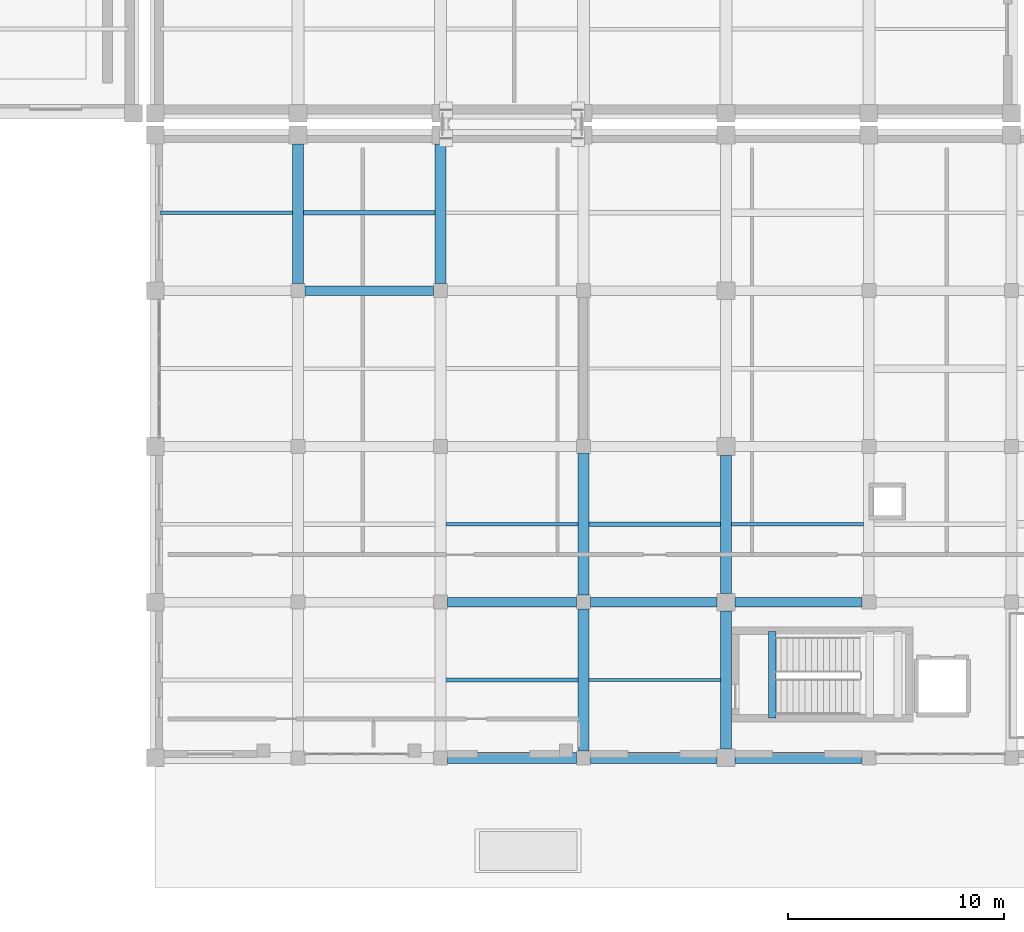
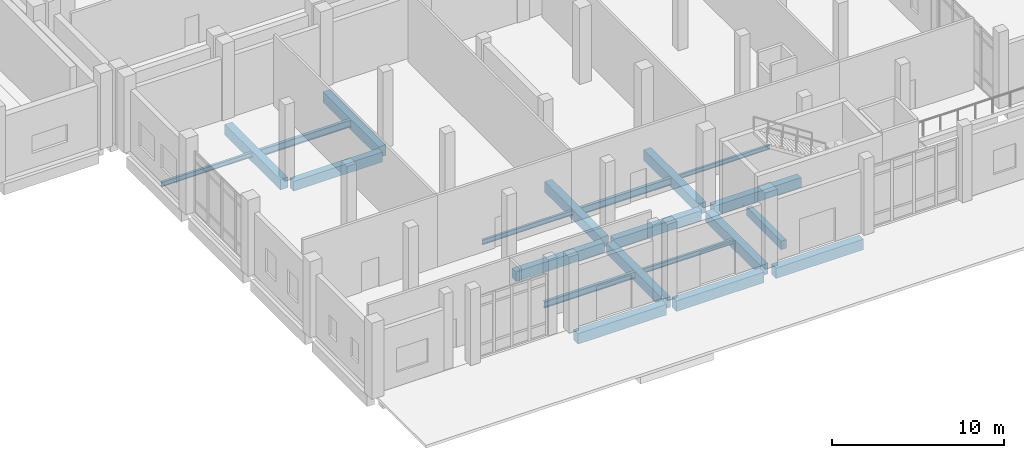
# One storey, part 13 of 79: 21 beams.
"""IFC4 building model written with IfcOpenShell, lengths in metres."""

from ifc_helpers import new_model, si_unit, direction, frame, origin, origin_2d, place, context, subcontext, project, spatial, rectangle, i_section, extrude, material, material_profile, profile_set, type_object, element, save


model = new_model("IFC4")

# Units and contexts
model_context = context("Model", 3, precision=1e-05, world=origin(), true_north=direction((0.0, 1.0)))
body_context = subcontext(model_context, "Body", "Model", "MODEL_VIEW")
ifc_project = project(units=[si_unit("LENGTHUNIT", "METRE"), si_unit("AREAUNIT", "SQUARE_METRE"), si_unit("VOLUMEUNIT", "CUBIC_METRE"), si_unit("PLANEANGLEUNIT", "RADIAN"), si_unit("MASSUNIT", "GRAM", prefix="KILO")], contexts=[model_context])

# Site, building, storey
site_placement = place(None, origin())
site = spatial("IfcSite", under=ifc_project, at=site_placement, CompositionType="ELEMENT")
building_placement = place(site_placement, origin())
building = spatial("IfcBuilding", under=site, at=building_placement, Name="Kelarvand Opera House", CompositionType="ELEMENT")
storey_placement = place(building_placement, origin())
storey = spatial("IfcBuildingStorey", under=building, at=storey_placement, Name="L00", CompositionType="ELEMENT", Elevation=0.0)

# Beams
ifc_material_1 = material(Name="Concrete C35/45", Category="concrete")
ifc_material_profile_1 = material_profile(ifc_material_1, rectangle(XDim=0.35009765625, YDim=0.60009765625, at=origin_2d()), Name="RC 350x600", Category="concrete")
ifc_profile_set_1 = profile_set([ifc_material_profile_1], Name="Concrete C35/45")
beam_type_1 = type_object("IfcBeamType", Name="Structural Beam RC 350x600 BM-RC350x600", PredefinedType="BEAM", material=ifc_profile_set_1)
beam_1_placement = place(storey_placement, frame((117.5400390625, 10.85009765625, -0.52001953125), z_axis=(0.0, 1.0, 0.0), x_axis=(-1.0, 0.0, 0.0)))
element("IfcBeam", 1, at=beam_1_placement, inside=storey, type_object=beam_type_1, Name="C8 Stair Landing Support Beam L00", PredefinedType="BEAM", context=body_context, shape_type="SweptSolid", body=[
    extrude(rectangle(XDim=0.35009765625, YDim=0.60009765625, at=origin_2d()), origin(), (0.0, 0.0, 1.0), 4.0),
])
ifc_material_2 = material(Name="Concrete C40/50", Category="concrete")
ifc_material_profile_2 = material_profile(ifc_material_2, rectangle(XDim=0.449951171875, YDim=0.699951171875, at=origin_2d()), Name="RC 450x700", Category="concrete")
ifc_profile_set_2 = profile_set([ifc_material_profile_2], Name="Concrete C40/50")
beam_type_2 = type_object("IfcBeamType", Name="Structural Beam RC 450x700 BM-RC450x700", PredefinedType="BEAM", material=ifc_profile_set_2)
beam_2_placement = place(storey_placement, frame((102.52490234375, 16.199951171875, -0.64990234375), z_axis=(1.0, 0.0, 0.0), x_axis=(0.0, 1.0, 0.0)))
element("IfcBeam", 2, at=beam_2_placement, inside=storey, type_object=beam_type_2, Name="V6 L00 Beam BM-RC450x700", PredefinedType="BEAM", context=body_context, shape_type="SweptSolid", body=[
    extrude(rectangle(XDim=0.449951171875, YDim=0.699951171875, at=origin_2d()), origin(), (0.0, 0.0, 1.0), 5.9501953125),
])
for number, where, z_axis, x_axis, name in (
    (3, (109.125, 16.199951171875, -0.64990234375), (1.0, 0.0, 0.0), (0.0, 1.0, 0.0), "V6 L00 Beam BM-RC450x700"),
    (4, (115.81005859375, 16.199951171875, -0.64990234375), (1.0, 0.0, 0.0), (0.0, 1.0, 0.0), "V6 L00 Beam BM-RC450x700"),
):
    element("IfcBeam", number, at=place(storey_placement, frame(where, z_axis=z_axis, x_axis=x_axis)), inside=storey, type_object=beam_type_2, Name=name, PredefinedType="BEAM", context=body_context, shape_type="SweptSolid", body=[
        extrude(rectangle(XDim=0.449951171875, YDim=0.699951171875, at=origin_2d()), origin(), (0.0, 0.0, 1.0), 5.864990234375),
    ])
beam_3_placement = place(storey_placement, frame((95.925048828125, 30.60009765625, -0.64990234375), z_axis=(1.0, 0.0, 0.0), x_axis=(0.0, 1.0, 0.0)))
element("IfcBeam", 5, at=beam_3_placement, inside=storey, type_object=beam_type_2, Name="V6 L00 Beam BM-RC450x700", PredefinedType="BEAM", context=body_context, shape_type="SweptSolid", body=[
    extrude(rectangle(XDim=0.449951171875, YDim=0.699951171875, at=origin_2d()), origin(), (0.0, 0.0, 1.0), 5.949951171875),
])
ifc_material_profile_3 = material_profile(ifc_material_2, rectangle(XDim=0.5, YDim=0.75, at=origin_2d()), Name="RC 500x750", Category="concrete")
ifc_profile_set_3 = profile_set([ifc_material_profile_3], Name="Concrete C40/50")
beam_type_3 = type_object("IfcBeamType", Name="Structural Beam RC 500x750 BM-RC500x750", PredefinedType="BEAM", material=ifc_profile_set_3)
for number, where, z_axis, x_axis, name in (
    (6, (95.60009765625, 30.925048828125, -0.675048828125), (0.0, 1.0, 0.0), (-1.0, 0.0, 0.0), "V6 L00 Beam BM-RC500x750"),
    (7, (102.199951171875, 30.925048828125, -0.675048828125), (0.0, 1.0, 0.0), (-1.0, 0.0, 0.0), "V6 L00 Beam BM-RC500x750"),
):
    element("IfcBeam", number, at=place(storey_placement, frame(where, z_axis=z_axis, x_axis=x_axis)), inside=storey, type_object=beam_type_3, Name=name, PredefinedType="BEAM", context=body_context, shape_type="SweptSolid", body=[
        extrude(rectangle(XDim=0.5, YDim=0.75, at=origin_2d()), origin(), (0.0, 0.0, 1.0), 6.46484375),
    ])
for number, where, z_axis, x_axis, name in (
    (8, (108.800048828125, 9.324951171875, -0.675048828125), (0.0, 1.0, 0.0), (-1.0, 0.0, 0.0), "V6 L00 Beam BM-RC500x750"),
    (9, (108.800048828125, 16.52490234375, -0.675048828125), (0.0, 1.0, 0.0), (-1.0, 0.0, 0.0), "V6 L00 Beam BM-RC500x750"),
):
    element("IfcBeam", number, at=place(storey_placement, frame(where, z_axis=z_axis, x_axis=x_axis)), inside=storey, type_object=beam_type_3, Name=name, PredefinedType="BEAM", context=body_context, shape_type="SweptSolid", body=[
        extrude(rectangle(XDim=0.5, YDim=0.75, at=origin_2d()), origin(), (0.0, 0.0, 1.0), 6.550048828125),
    ])
beam_4_placement = place(storey_placement, frame((115.39990234375, 9.409912109375, -0.675048828125), z_axis=(0.0, 1.0, 0.0), x_axis=(-1.0, 0.0, 0.0)))
element("IfcBeam", 10, at=beam_4_placement, inside=storey, type_object=beam_type_3, Name="V6 L00 Beam BM-RC500x750", PredefinedType="BEAM", context=body_context, shape_type="SweptSolid", body=[
    extrude(rectangle(XDim=0.5, YDim=0.75, at=origin_2d()), origin(), (0.0, 0.0, 1.0), 6.380126953125),
])
beam_5_placement = place(storey_placement, frame((115.39990234375, 16.610107421875, -0.675048828125), z_axis=(0.0, 1.0, 0.0), x_axis=(-1.0, 0.0, 0.0)))
element("IfcBeam", 11, at=beam_5_placement, inside=storey, type_object=beam_type_3, Name="V6 L00 Beam BM-RC500x750", PredefinedType="BEAM", context=body_context, shape_type="SweptSolid", body=[
    extrude(rectangle(XDim=0.5, YDim=0.75, at=origin_2d()), origin(), (0.0, 0.0, 1.0), 6.3798828125),
])
ifc_material_3 = material(Name="Steel S355", Category="steel")
ifc_material_profile_4 = material_profile(ifc_material_3, i_section(OverallWidth=0.14990234375, OverallDepth=0.300048828125, WebThickness=0.007080078125, FlangeThickness=0.0107421875, at=origin_2d()), Name="IPE 300", Category="steel")
ifc_profile_set_4 = profile_set([ifc_material_profile_4], Name="Steel S355")
beam_type_4 = type_object("IfcBeamType", Name="Structural Joist IPE 300 JS-IPE300", PredefinedType="JOIST", material=ifc_profile_set_4)
beam_6_placement = place(storey_placement, frame((115.64990234375, 19.800048828125, -0.449951171875), z_axis=(1.0, 0.0, 0.0), x_axis=(0.0, 1.0, 0.0)))
element("IfcBeam", 12, at=beam_6_placement, inside=storey, type_object=beam_type_4, Name="V6 L00 Beam JS-IPE300", PredefinedType="JOIST", context=body_context, shape_type="SweptSolid", body=[
    extrude(i_section(OverallWidth=0.14990234375, OverallDepth=0.300048828125, WebThickness=0.007080078125, FlangeThickness=0.0107421875, at=origin_2d()), origin(), (0.0, 0.0, 1.0), 6.10009765625),
])
ifc_material_profile_5 = material_profile(ifc_material_3, i_section(OverallWidth=0.159912109375, OverallDepth=0.330078125, WebThickness=0.007568359375, FlangeThickness=0.011474609375, at=origin_2d()), Name="IPE 330", Category="steel")
ifc_profile_set_5 = profile_set([ifc_material_profile_5], Name="Steel S355")
beam_type_5 = type_object("IfcBeamType", Name="Structural Joist IPE 330 JS-IPE330", PredefinedType="JOIST", material=ifc_profile_set_5)
for number, where, z_axis, x_axis, name in (
    (13, (89.25, 34.199951171875, -0.465087890625), (1.0, 0.0, 0.0), (0.0, 1.0, 0.0), "V6 L00 Beam JS-IPE330"),
    (14, (102.449951171875, 19.800048828125, -0.465087890625), (1.0, 0.0, 0.0), (0.0, 1.0, 0.0), "V6 L00 Beam JS-IPE330"),
):
    element("IfcBeam", number, at=place(storey_placement, frame(where, z_axis=z_axis, x_axis=x_axis)), inside=storey, type_object=beam_type_5, Name=name, PredefinedType="JOIST", context=body_context, shape_type="SweptSolid", body=[
        extrude(i_section(OverallWidth=0.159912109375, OverallDepth=0.330078125, WebThickness=0.007568359375, FlangeThickness=0.011474609375, at=origin_2d()), origin(), (0.0, 0.0, 1.0), 6.10009765625),
    ])
beam_7_placement = place(storey_placement, frame((109.050048828125, 12.60009765625, -0.465087890625), z_axis=(1.0, 0.0, 0.0), x_axis=(0.0, 1.0, 0.0)))
element("IfcBeam", 15, at=beam_7_placement, inside=storey, type_object=beam_type_5, Name="V6 L00 Beam JS-IPE330", PredefinedType="JOIST", context=body_context, shape_type="SweptSolid", body=[
    extrude(i_section(OverallWidth=0.159912109375, OverallDepth=0.330078125, WebThickness=0.007568359375, FlangeThickness=0.011474609375, at=origin_2d()), origin(), (0.0, 0.0, 1.0), 6.099853515625),
])
ifc_material_profile_6 = material_profile(ifc_material_3, i_section(OverallWidth=0.18994140625, OverallDepth=0.449951171875, WebThickness=0.009521484375, FlangeThickness=0.0146484375, at=origin_2d()), Name="IPE 450", Category="steel")
ifc_profile_set_6 = profile_set([ifc_material_profile_6], Name="Steel S355")
beam_type_6 = type_object("IfcBeamType", Name="Structural Joist IPE 450 JS-IPE450", PredefinedType="JOIST", material=ifc_profile_set_6)
beam_8_placement = place(storey_placement, frame((102.449951171875, 12.60009765625, -0.52490234375), z_axis=(1.0, 0.0, 0.0), x_axis=(0.0, 1.0, 0.0)))
element("IfcBeam", 16, at=beam_8_placement, inside=storey, type_object=beam_type_6, Name="V6 L00 Beam JS-IPE450", PredefinedType="JOIST", context=body_context, shape_type="SweptSolid", body=[
    extrude(i_section(OverallWidth=0.18994140625, OverallDepth=0.449951171875, WebThickness=0.009521484375, FlangeThickness=0.0146484375, at=origin_2d()), origin(), (0.0, 0.0, 1.0), 6.10009765625),
])
ifc_material_profile_7 = material_profile(ifc_material_3, i_section(OverallWidth=0.199951171875, OverallDepth=0.5, WebThickness=0.01025390625, FlangeThickness=0.01611328125, at=origin_2d()), Name="IPE 500", Category="steel")
ifc_profile_set_7 = profile_set([ifc_material_profile_7], Name="Steel S355")
beam_type_7 = type_object("IfcBeamType", Name="Structural Joist IPE 500 JS-IPE500", PredefinedType="JOIST", material=ifc_profile_set_7)
for number, where, z_axis, x_axis, name in (
    (17, (95.85009765625, 34.199951171875, -0.550048828125), (1.0, 0.0, 0.0), (0.0, 1.0, 0.0), "V6 L00 Beam JS-IPE500"),
    (18, (109.050048828125, 19.800048828125, -0.550048828125), (1.0, 0.0, 0.0), (0.0, 1.0, 0.0), "V6 L00 Beam JS-IPE500"),
):
    element("IfcBeam", number, at=place(storey_placement, frame(where, z_axis=z_axis, x_axis=x_axis)), inside=storey, type_object=beam_type_7, Name=name, PredefinedType="JOIST", context=body_context, shape_type="SweptSolid", body=[
        extrude(i_section(OverallWidth=0.199951171875, OverallDepth=0.5, WebThickness=0.01025390625, FlangeThickness=0.01611328125, at=origin_2d()), origin(), (0.0, 0.0, 1.0), 6.099853515625),
    ])
ifc_material_profile_8 = material_profile(ifc_material_2, rectangle(XDim=0.5, YDim=0.75, at=origin_2d()), Name="RC 500x750", Category="concrete")
ifc_profile_set_8 = profile_set([ifc_material_profile_8], Name="Concrete C40/50")
beam_type_8 = type_object("IfcBeamType", Name="Structural Spandrel RC 500x750 SP-RC500x750E", PredefinedType="SPANDREL", material=ifc_profile_set_8)
beam_9_placement = place(storey_placement, frame((102.52490234375, 9.0, -0.675048828125), z_axis=(1.0, 0.0, 0.0), x_axis=(0.0, 1.0, 0.0)))
element("IfcBeam", 19, at=beam_9_placement, inside=storey, type_object=beam_type_8, Name="V6 L00 Beam SP-RC500x750E", PredefinedType="SPANDREL", context=body_context, shape_type="SweptSolid", body=[
    extrude(rectangle(XDim=0.5, YDim=0.75, at=origin_2d()), origin(), (0.0, 0.0, 1.0), 5.9501953125),
])
for number, where, z_axis, x_axis, name in (
    (20, (109.125, 9.0, -0.675048828125), (1.0, 0.0, 0.0), (0.0, 1.0, 0.0), "V6 L00 Beam SP-RC500x750E"),
    (21, (115.81005859375, 9.0, -0.675048828125), (1.0, 0.0, 0.0), (0.0, 1.0, 0.0), "V6 L00 Beam SP-RC500x750E"),
):
    element("IfcBeam", number, at=place(storey_placement, frame(where, z_axis=z_axis, x_axis=x_axis)), inside=storey, type_object=beam_type_8, Name=name, PredefinedType="SPANDREL", context=body_context, shape_type="SweptSolid", body=[
        extrude(rectangle(XDim=0.5, YDim=0.75, at=origin_2d()), origin(), (0.0, 0.0, 1.0), 5.864990234375),
    ])

save(model, "model.ifc")
